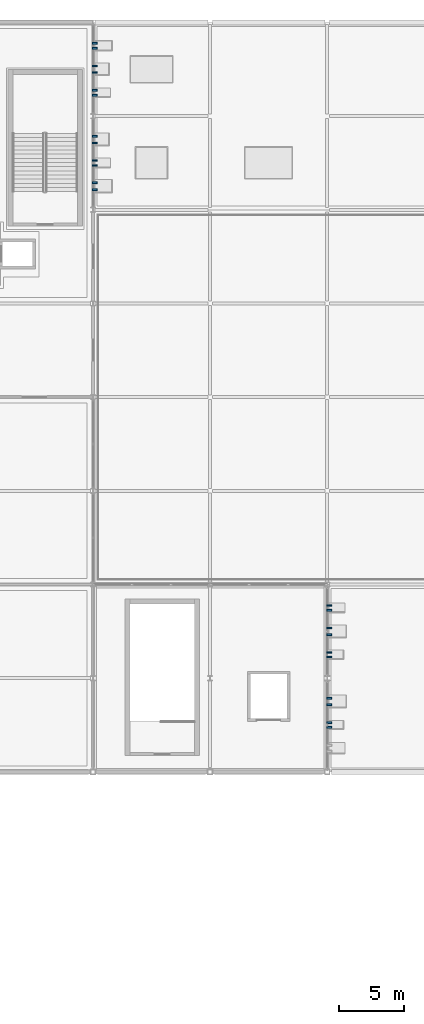
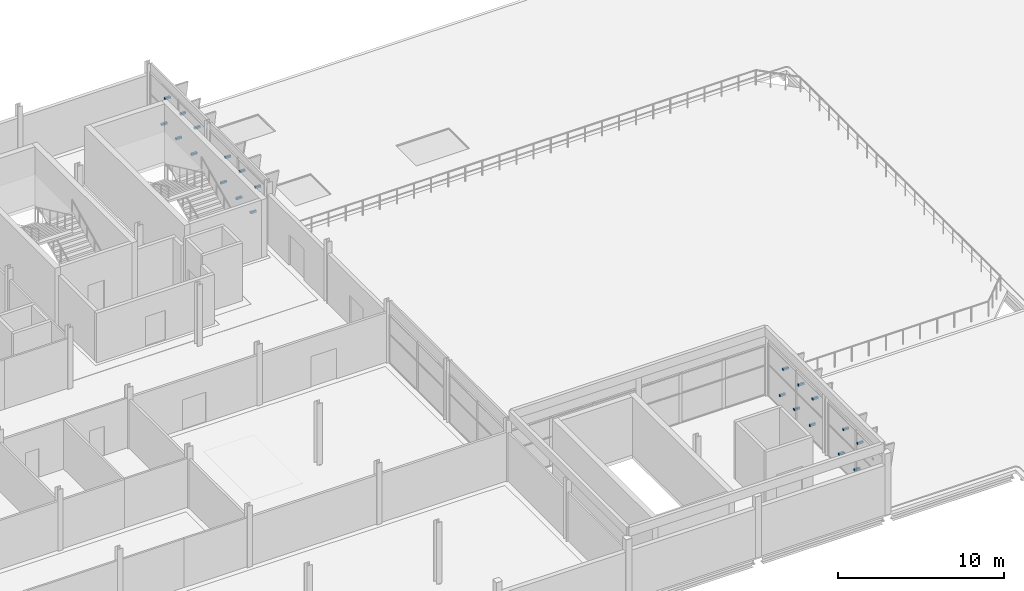
# One storey, part 71 of 78: 22 discrete accessories.
"""IFC4 building model written with IfcOpenShell, lengths in metres."""

from ifc_helpers import new_model, si_unit, direction, frame, origin, origin_2d, place, context, subcontext, project, spatial, rectangle, extrude, material, type_object, element, save


model = new_model("IFC4")

# Units and contexts
model_context = context("Model", 3, precision=1e-05, world=origin(), true_north=direction((0.0, 1.0)))
body_context = subcontext(model_context, "Body", "Model", "MODEL_VIEW")
ifc_project = project(units=[si_unit("LENGTHUNIT", "METRE"), si_unit("AREAUNIT", "SQUARE_METRE"), si_unit("VOLUMEUNIT", "CUBIC_METRE"), si_unit("PLANEANGLEUNIT", "RADIAN"), si_unit("MASSUNIT", "GRAM", prefix="KILO")], contexts=[model_context])

# Site, building, storey
site_placement = place(None, origin())
site = spatial("IfcSite", under=ifc_project, at=site_placement, CompositionType="ELEMENT")
building_placement = place(site_placement, origin())
building = spatial("IfcBuilding", under=site, at=building_placement, Name="Celestram Park Convention Centre", CompositionType="ELEMENT")
storey_placement = place(building_placement, frame((0.0, 0.0, 19.800048828125)))
storey = spatial("IfcBuildingStorey", under=building, at=storey_placement, Name="L04", CompositionType="ELEMENT", Elevation=19.800048828125)

# Discrete accessories
ifc_material = material(Name="Steel ASTM A500 Grade C", Category="steel")
discrete_accessory_type = type_object("IfcDiscreteAccessoryType", Name="ARC-BRK-OUT400", PredefinedType="BRACKET", material=ifc_material)
for number, where, z_axis, x_axis, name in (
    (1, (117.14990234375, 120.78564453125, 0.8076171875), (0.0, 0.0, 1.0), (1.0, 0.0, 0.0), "Solar fin outrigger bracket BK-L04-1445"),
    (2, (117.14990234375, 120.414306640625, 2.95654296875), (0.0, 0.0, 1.0), (1.0, 0.0, 0.0), "Solar fin outrigger bracket BK-L04-1446"),
    (3, (117.14990234375, 119.06005859375, 0.8232421875), (0.0, 0.0, 1.0), (1.0, 0.0, 0.0), "Solar fin outrigger bracket BK-L04-1447"),
    (4, (117.14990234375, 118.539794921875, 2.94091796875), (0.0, 0.0, 1.0), (1.0, 0.0, 0.0), "Solar fin outrigger bracket BK-L04-1448"),
    (5, (117.14990234375, 117.17431640625, 0.8056640625), (0.0, 0.0, 1.0), (1.0, 0.0, 0.0), "Solar fin outrigger bracket BK-L04-1449"),
    (6, (117.14990234375, 116.82568359375, 2.95849609375), (0.0, 0.0, 1.0), (1.0, 0.0, 0.0), "Solar fin outrigger bracket BK-L04-1450"),
    (7, (117.14990234375, 113.671142578125, 0.8232421875), (0.0, 0.0, 1.0), (1.0, 0.0, 0.0), "Solar fin outrigger bracket BK-L04-1451"),
    (8, (117.14990234375, 113.15087890625, 2.94091796875), (0.0, 0.0, 1.0), (1.0, 0.0, 0.0), "Solar fin outrigger bracket BK-L04-1452"),
    (9, (117.14990234375, 111.785400390625, 0.8056640625), (0.0, 0.0, 1.0), (1.0, 0.0, 0.0), "Solar fin outrigger bracket BK-L04-1453"),
    (10, (117.14990234375, 111.436767578125, 2.95849609375), (0.0, 0.0, 1.0), (1.0, 0.0, 0.0), "Solar fin outrigger bracket BK-L04-1454"),
    (11, (99.14990234375, 163.996826171875, 0.8095703125), (0.0, 0.0, 1.0), (1.0, 0.0, 0.0), "Solar fin outrigger bracket BK-L04-1505"),
    (12, (99.14990234375, 163.603271484375, 2.95458984375), (0.0, 0.0, 1.0), (1.0, 0.0, 0.0), "Solar fin outrigger bracket BK-L04-1506"),
    (13, (99.14990234375, 162.252685546875, 0.8212890625), (0.0, 0.0, 1.0), (1.0, 0.0, 0.0), "Solar fin outrigger bracket BK-L04-1507"),
    (14, (99.14990234375, 161.747314453125, 2.9423828125), (0.0, 0.0, 1.0), (1.0, 0.0, 0.0), "Solar fin outrigger bracket BK-L04-1508"),
    (15, (99.14990234375, 160.385498046875, 0.8076171875), (0.0, 0.0, 1.0), (1.0, 0.0, 0.0), "Solar fin outrigger bracket BK-L04-1509"),
    (16, (99.14990234375, 160.014404296875, 2.95654296875), (0.0, 0.0, 1.0), (1.0, 0.0, 0.0), "Solar fin outrigger bracket BK-L04-1510"),
    (17, (99.14990234375, 156.859619140625, 0.845703125), (0.0, 0.0, 1.0), (1.0, 0.0, 0.0), "Solar fin outrigger bracket BK-L04-1511"),
    (18, (99.14990234375, 156.34033203125, 3.0244140625), (0.0, 0.0, 1.0), (1.0, 0.0, 0.0), "Solar fin outrigger bracket BK-L04-1512"),
    (19, (99.14990234375, 154.990478515625, 0.83154296875), (0.0, 0.0, 1.0), (1.0, 0.0, 0.0), "Solar fin outrigger bracket BK-L04-1513"),
    (20, (99.14990234375, 154.609375, 3.03857421875), (0.0, 0.0, 1.0), (1.0, 0.0, 0.0), "Solar fin outrigger bracket BK-L04-1514"),
    (21, (99.14990234375, 153.26708984375, 0.84716796875), (0.0, 0.0, 1.0), (1.0, 0.0, 0.0), "Solar fin outrigger bracket BK-L04-1515"),
    (22, (99.14990234375, 152.73291015625, 3.0224609375), (0.0, 0.0, 1.0), (1.0, 0.0, 0.0), "Solar fin outrigger bracket BK-L04-1516"),
):
    element("IfcDiscreteAccessory", number, at=place(storey_placement, frame(where, z_axis=z_axis, x_axis=x_axis)), inside=storey, type_object=discrete_accessory_type, Name=name, PredefinedType="BRACKET", context=body_context, shape_type="SweptSolid", body=[
        extrude(rectangle(XDim=0.39990234375, YDim=0.139892578125, at=origin_2d()), origin(), (0.0, 0.0, 1.0), 0.139892578125),
    ])

save(model, "model.ifc")
